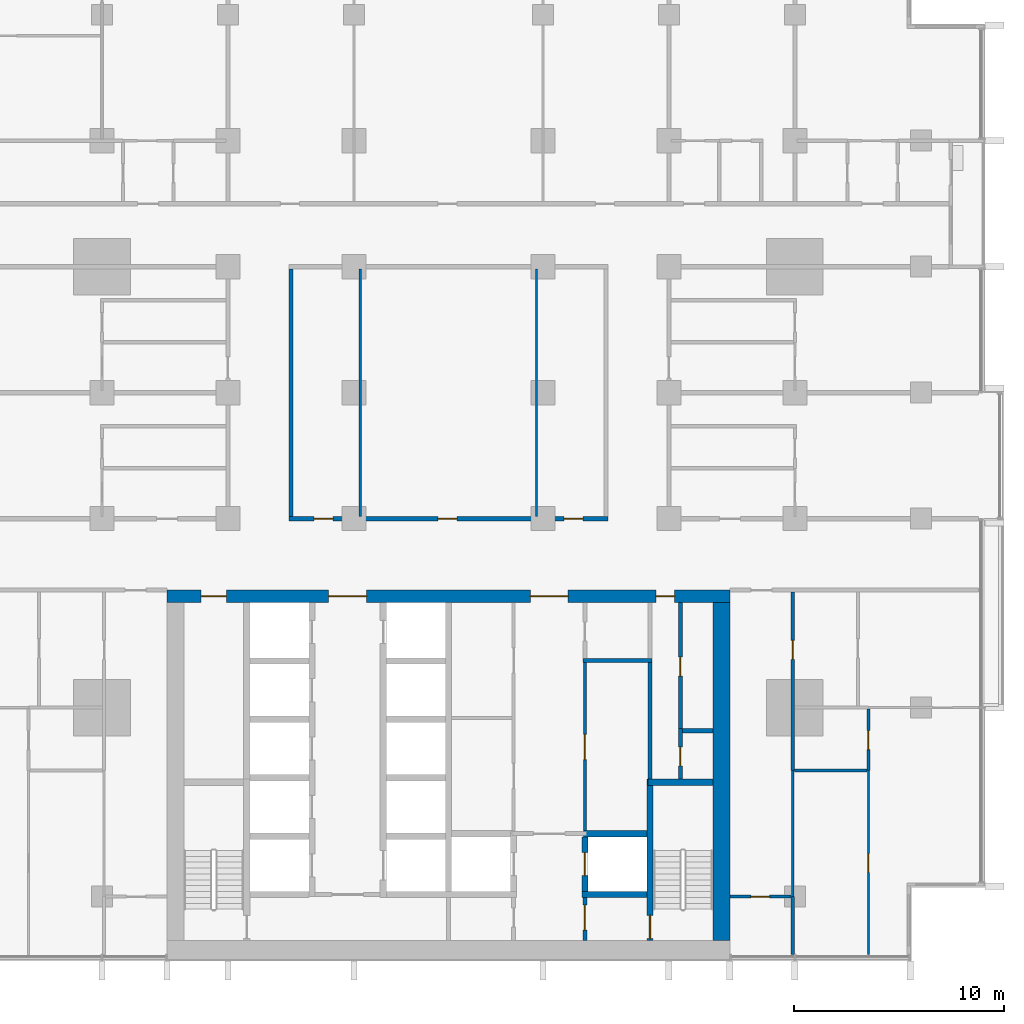
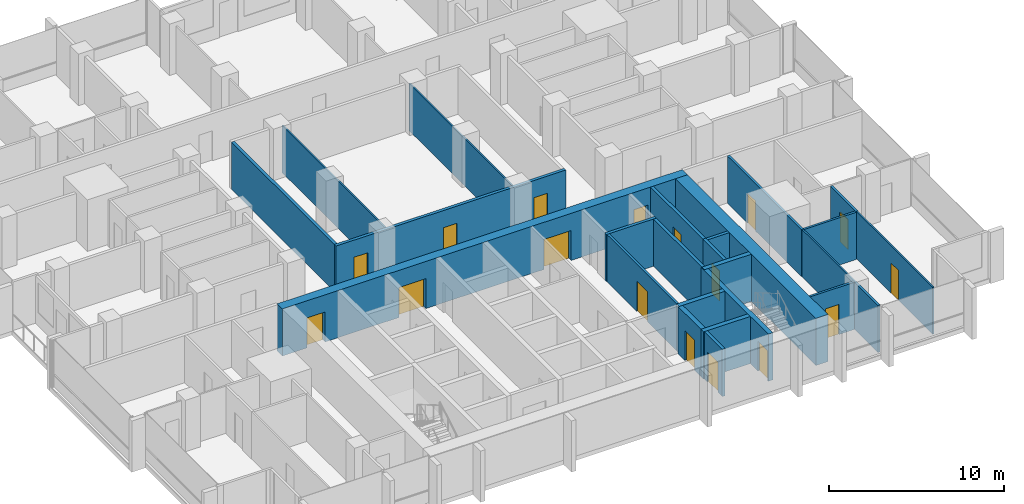
# One storey, part 9 of 17: 25 walls, 17 doors, 17 openings.
"""IFC4 building model written with IfcOpenShell, lengths in metres."""

from ifc_helpers import new_model, si_unit, direction, frame, frame_2d, origin, place, context, subcontext, project, spatial, rectangle, extrude, material, layer, layer_set, type_object, element, fill, save


model = new_model("IFC4")

# Units and contexts
model_context = context("Model", 3, precision=1e-05, world=origin(), true_north=direction((0.0, 1.0)))
body_context = subcontext(model_context, "Body", "Model", "MODEL_VIEW")
ifc_project = project(units=[si_unit("LENGTHUNIT", "METRE"), si_unit("AREAUNIT", "SQUARE_METRE"), si_unit("VOLUMEUNIT", "CUBIC_METRE"), si_unit("PLANEANGLEUNIT", "RADIAN"), si_unit("MASSUNIT", "GRAM", prefix="KILO")], contexts=[model_context])

# Site, building, storey
site_placement = place(None, origin())
site = spatial("IfcSite", under=ifc_project, at=site_placement, CompositionType="ELEMENT")
building_placement = place(site_placement, origin())
building = spatial("IfcBuilding", under=site, at=building_placement, Name="Finial Court Residences", CompositionType="ELEMENT")
storey_placement = place(building_placement, frame((0.0, 0.0, 113.5)))
storey = spatial("IfcBuildingStorey", under=building, at=storey_placement, Name="L28", CompositionType="ELEMENT", Elevation=113.5)

# Wall, openings, doors
ifc_material_1 = material(Name="Concrete C70/85", Category="concrete")
ifc_layer_1 = layer(ifc_material_1, 0.60009765625)
ifc_layer_set_1 = layer_set([ifc_layer_1], Name="Core outer wall 600 Concrete C70/85")
wall_type_1 = type_object("IfcWallType", Name="Core outer wall 600 Concrete C70/85", PredefinedType="SHEAR", material=ifc_layer_set_1)
wall_1_placement = place(storey_placement, frame((-13.39990234375, -8.199951171875, 0.0), z_axis=(0.0, 0.0, 1.0), x_axis=(1.0, 0.0, 0.0)))
wall_1 = element("IfcWall", 1, at=wall_1_placement, inside=storey, type_object=wall_type_1, Name="Core outer wall L28-02", PredefinedType="SHEAR", context=body_context, shape_type="SweptSolid", body=[
    extrude(rectangle(XDim=26.7998046875, YDim=0.60009765625, at=frame_2d((13.39990234375, 0.0))), origin(), (0.0, 0.0, 1.0), 3.300048828125),
])
opening_1_placement = place(wall_1_placement, frame((7.699951171875, 0.0, 0.0)))
opening_1 = element("IfcOpeningElement", 2, at=opening_1_placement, cuts=wall_1, Name="Opening L28-C04", PredefinedType="OPENING", context=body_context, shape_type="SweptSolid", body=[
    extrude(rectangle(XDim=1.800048828125, YDim=2.10009765625, at=frame_2d((0.89990234375, 1.050048828125))), frame((0.0, 0.31005859375, 0.0), z_axis=(0.0, -1.0, 0.0), x_axis=(1.0, 0.0, 0.0)), (0.0, 0.0, 1.0), 0.6201171875),
])
opening_2_placement = place(wall_1_placement, frame((17.300048828125, 0.0, 0.0)))
opening_2 = element("IfcOpeningElement", 3, at=opening_2_placement, cuts=wall_1, Name="Opening L28-C05", PredefinedType="OPENING", context=body_context, shape_type="SweptSolid", body=[
    extrude(rectangle(XDim=1.800048828125, YDim=2.10009765625, at=frame_2d((0.89990234375, 1.050048828125))), frame((0.0, 0.31005859375, 0.0), z_axis=(0.0, -1.0, 0.0), x_axis=(1.0, 0.0, 0.0)), (0.0, 0.0, 1.0), 0.6201171875),
])
opening_3_placement = place(wall_1_placement, frame((1.625, 0.0, 0.0)))
opening_3 = element("IfcOpeningElement", 4, at=opening_3_placement, cuts=wall_1, Name="Opening L28-C09", PredefinedType="OPENING", context=body_context, shape_type="SweptSolid", body=[
    extrude(rectangle(XDim=1.199951171875, YDim=2.10009765625, at=frame_2d((0.60009765625, 1.050048828125))), frame((0.0, 0.31005859375, 0.0), z_axis=(0.0, -1.0, 0.0), x_axis=(1.0, 0.0, 0.0)), (0.0, 0.0, 1.0), 0.6201171875),
])
opening_4_placement = place(wall_1_placement, frame((23.27490234375, 0.0, 0.0)))
opening_4 = element("IfcOpeningElement", 5, at=opening_4_placement, cuts=wall_1, Name="Opening L28-C10", PredefinedType="OPENING", context=body_context, shape_type="SweptSolid", body=[
    extrude(rectangle(XDim=0.89990234375, YDim=2.10009765625, at=frame_2d((0.449951171875, 1.050048828125))), frame((0.0, 0.31005859375, 0.0), z_axis=(0.0, -1.0, 0.0), x_axis=(1.0, 0.0, 0.0)), (0.0, 0.0, 1.0), 0.6201171875),
])
ifc_material_2 = material(Name="Steel fire door", Category="steel")
door_type_1 = type_object("IfcDoorType", Name="Lift lobby door 1800 x 2100 EI 60", OperationType="DOUBLE_DOOR_SINGLE_SWING", PredefinedType="DOOR", material=ifc_material_2)
door_1_placement = place(opening_1_placement, origin())
door_1 = element("IfcDoor", 6, at=door_1_placement, inside=storey, type_object=door_type_1, Name="Lift lobby door L28-C04", OperationType="DOUBLE_DOOR_SINGLE_SWING", OverallHeight=2.10009765625, OverallWidth=1.800048828125, PredefinedType="DOOR", context=body_context, shape_type="SweptSolid", body=[
    extrude(rectangle(XDim=1.800048828125, YDim=2.10009765625, at=frame_2d((0.89990234375, 1.050048828125))), frame((0.0, 0.02490234375, 0.0), z_axis=(0.0, -1.0, 0.0), x_axis=(1.0, 0.0, 0.0)), (0.0, 0.0, 1.0), 0.050048828125),
])
fill(opening_1, door_1)
door_2_placement = place(opening_2_placement, origin())
door_2 = element("IfcDoor", 7, at=door_2_placement, inside=storey, type_object=door_type_1, Name="Lift lobby door L28-C05", OperationType="DOUBLE_DOOR_SINGLE_SWING", OverallHeight=2.10009765625, OverallWidth=1.800048828125, PredefinedType="DOOR", context=body_context, shape_type="SweptSolid", body=[
    extrude(rectangle(XDim=1.800048828125, YDim=2.10009765625, at=frame_2d((0.89990234375, 1.050048828125))), frame((0.0, 0.02490234375, 0.0), z_axis=(0.0, -1.0, 0.0), x_axis=(1.0, 0.0, 0.0)), (0.0, 0.0, 1.0), 0.050048828125),
])
fill(opening_2, door_2)
door_type_2 = type_object("IfcDoorType", Name="Riser room door 1200 x 2100 EI 90", OperationType="NOTDEFINED", PredefinedType="DOOR", material=ifc_material_2)
door_3_placement = place(opening_3_placement, origin())
door_3 = element("IfcDoor", 8, at=door_3_placement, inside=storey, type_object=door_type_2, Name="Riser room door L28-C09", OperationType="SINGLE_SWING_LEFT", OverallHeight=2.10009765625, OverallWidth=1.199951171875, PredefinedType="DOOR", context=body_context, shape_type="SweptSolid", body=[
    extrude(rectangle(XDim=1.199951171875, YDim=2.10009765625, at=frame_2d((0.60009765625, 1.050048828125))), frame((0.0, 0.02490234375, 0.0), z_axis=(0.0, -1.0, 0.0), x_axis=(1.0, 0.0, 0.0)), (0.0, 0.0, 1.0), 0.050048828125),
])
fill(opening_3, door_3)
door_type_3 = type_object("IfcDoorType", Name="Riser room door 900 x 2100 EI 90", OperationType="NOTDEFINED", PredefinedType="DOOR", material=ifc_material_2)
door_4_placement = place(opening_4_placement, origin())
door_4 = element("IfcDoor", 9, at=door_4_placement, inside=storey, type_object=door_type_3, Name="Riser room door L28-C10", OperationType="SINGLE_SWING_LEFT", OverallHeight=2.10009765625, OverallWidth=0.89990234375, PredefinedType="DOOR", context=body_context, shape_type="SweptSolid", body=[
    extrude(rectangle(XDim=0.89990234375, YDim=2.10009765625, at=frame_2d((0.449951171875, 1.050048828125))), frame((0.0, 0.02490234375, 0.0), z_axis=(0.0, -1.0, 0.0), x_axis=(1.0, 0.0, 0.0)), (0.0, 0.0, 1.0), 0.050048828125),
])
fill(opening_4, door_4)

# Wall
ifc_layer_2 = layer(ifc_material_1, 0.800048828125)
ifc_layer_set_2 = layer_set([ifc_layer_2], Name="Core outer wall 800 Concrete C70/85")
wall_type_2 = type_object("IfcWallType", Name="Core outer wall 800 Concrete C70/85", PredefinedType="SHEAR", material=ifc_layer_set_2)
wall_2_placement = place(storey_placement, frame((13.0, -24.60009765625, 0.0), z_axis=(0.0, 0.0, 1.0), x_axis=(0.0, 1.0, 0.0)))
element("IfcWall", 10, at=wall_2_placement, inside=storey, type_object=wall_type_2, Name="Core outer wall L28-04", PredefinedType="SHEAR", context=body_context, shape_type="SweptSolid", body=[
    extrude(rectangle(XDim=16.10009765625, YDim=0.800048828125, at=frame_2d((8.050048828125, 0.0))), origin(), (0.0, 0.0, 1.0), 3.300048828125),
])

# Wall, opening, door
ifc_material_3 = material(Name="Fire-rated gypsum board partition")
ifc_layer_3 = layer(ifc_material_3, 0.14990234375)
ifc_layer_set_3 = layer_set([ifc_layer_3], Name="Core room partition 150 EI 60")
wall_type_3 = type_object("IfcWallType", Name="Core room partition 150 EI 60", PredefinedType="PARTITIONING", material=ifc_layer_set_3)
wall_3_placement = place(storey_placement, frame((6.5, -11.35009765625, 0.0), z_axis=(0.0, 0.0, 1.0), x_axis=(0.0, -1.0, 0.0)))
wall_3 = element("IfcWall", 11, at=wall_3_placement, inside=storey, type_object=wall_type_3, Name="Core partition L28-32", PredefinedType="PARTITIONING", context=body_context, shape_type="SweptSolid", body=[
    extrude(rectangle(XDim=8.0, YDim=0.14990234375, at=frame_2d((4.0, 0.0))), origin(), (0.0, 0.0, 1.0), 3.300048828125),
])
opening_5_placement = place(wall_3_placement, frame((3.425048828125, 0.0, 0.0)))
opening_5 = element("IfcOpeningElement", 12, at=opening_5_placement, cuts=wall_3, Name="Opening L28-C14", PredefinedType="OPENING", context=body_context, shape_type="SweptSolid", body=[
    extrude(rectangle(XDim=1.199951171875, YDim=2.10009765625, at=frame_2d((0.60009765625, 1.050048828125))), frame((0.0, 0.0849609375, 0.0), z_axis=(0.0, -1.0, 0.0), x_axis=(1.0, 0.0, 0.0)), (0.0, 0.0, 1.0), 0.169921875),
])
door_type_4 = type_object("IfcDoorType", Name="Core room door 1200 x 2100 EI 60", OperationType="NOTDEFINED", PredefinedType="DOOR", material=ifc_material_2)
door_5_placement = place(opening_5_placement, origin())
door_5 = element("IfcDoor", 13, at=door_5_placement, inside=storey, type_object=door_type_4, Name="Core room door L28-C14", OperationType="SINGLE_SWING_RIGHT", OverallHeight=2.10009765625, OverallWidth=1.199951171875, PredefinedType="DOOR", context=body_context, shape_type="SweptSolid", body=[
    extrude(rectangle(XDim=1.199951171875, YDim=2.10009765625, at=frame_2d((0.60009765625, 1.050048828125))), frame((0.0, 0.02490234375, 0.0), z_axis=(0.0, -1.0, 0.0), x_axis=(1.0, 0.0, 0.0)), (0.0, 0.0, 1.0), 0.050048828125),
])
fill(opening_5, door_5)

# Wall, openings, doors
ifc_material_4 = material(Name="Gypsum board")
ifc_layer_4 = layer(ifc_material_4, 0.02490234375)
ifc_material_5 = material(Name="Acoustic mineral wool in double frame")
ifc_layer_5 = layer(ifc_material_5, 0.14990234375)
ifc_layer_6 = layer(ifc_material_4, 0.02490234375)
ifc_layer_set_4 = layer_set([ifc_layer_4, ifc_layer_5, ifc_layer_6], Name="Corridor wall 200, 1 hour")
wall_type_4 = type_object("IfcWallType", Name="Corridor wall 200, 1 hour", PredefinedType="PARTITIONING", material=ifc_layer_set_4)
wall_4_placement = place(storey_placement, frame((-7.60009765625, -4.5, 0.0), z_axis=(0.0, 0.0, 1.0), x_axis=(1.0, 0.0, 0.0)))
wall_4 = element("IfcWall", 14, at=wall_4_placement, inside=storey, type_object=wall_type_4, Name="Partition L28-011", PredefinedType="PARTITIONING", context=body_context, shape_type="SweptSolid", body=[
    extrude(rectangle(XDim=15.2001953125, YDim=0.199951171875, at=frame_2d((7.60009765625, 0.0))), origin(), (0.0, 0.0, 1.0), 3.300048828125),
])
opening_6_placement = place(wall_4_placement, frame((1.199951171875, 0.0, 0.0)))
opening_6 = element("IfcOpeningElement", 15, at=opening_6_placement, cuts=wall_4, Name="Opening L28-D008", PredefinedType="OPENING", context=body_context, shape_type="SweptSolid", body=[
    extrude(rectangle(XDim=0.89990234375, YDim=2.10009765625, at=frame_2d((0.449951171875, 1.050048828125))), frame((0.0, 0.10986328125, 0.0), z_axis=(0.0, -1.0, 0.0), x_axis=(1.0, 0.0, 0.0)), (0.0, 0.0, 1.0), 0.219970703125),
])
opening_7_placement = place(wall_4_placement, frame((7.10009765625, 0.0, 0.0)))
opening_7 = element("IfcOpeningElement", 16, at=opening_7_placement, cuts=wall_4, Name="Opening L28-D009", PredefinedType="OPENING", context=body_context, shape_type="SweptSolid", body=[
    extrude(rectangle(XDim=0.89990234375, YDim=2.10009765625, at=frame_2d((0.449951171875, 1.050048828125))), frame((0.0, 0.10986328125, 0.0), z_axis=(0.0, -1.0, 0.0), x_axis=(1.0, 0.0, 0.0)), (0.0, 0.0, 1.0), 0.219970703125),
])
opening_8_placement = place(wall_4_placement, frame((13.10009765625, 0.0, 0.0)))
opening_8 = element("IfcOpeningElement", 17, at=opening_8_placement, cuts=wall_4, Name="Opening L28-D010", PredefinedType="OPENING", context=body_context, shape_type="SweptSolid", body=[
    extrude(rectangle(XDim=0.89990234375, YDim=2.10009765625, at=frame_2d((0.449951171875, 1.050048828125))), frame((0.0, 0.10986328125, 0.0), z_axis=(0.0, -1.0, 0.0), x_axis=(1.0, 0.0, 0.0)), (0.0, 0.0, 1.0), 0.219970703125),
])
ifc_material_6 = material(Name="Timber door leaf in hollow metal frame", Category="wood")
door_type_5 = type_object("IfcDoorType", Name="Fire door set 900 x 2100, 30 minutes", OperationType="SINGLE_SWING_LEFT", PredefinedType="DOOR", material=ifc_material_6)
door_6_placement = place(opening_6_placement, origin())
door_6 = element("IfcDoor", 18, at=door_6_placement, inside=storey, type_object=door_type_5, Name="Door L28-D008", OperationType="SINGLE_SWING_RIGHT", OverallHeight=2.10009765625, OverallWidth=0.89990234375, PredefinedType="DOOR", context=body_context, shape_type="SweptSolid", body=[
    extrude(rectangle(XDim=0.89990234375, YDim=2.10009765625, at=frame_2d((0.449951171875, 1.050048828125))), frame((0.0, 0.02490234375, 0.0), z_axis=(0.0, -1.0, 0.0), x_axis=(1.0, 0.0, 0.0)), (0.0, 0.0, 1.0), 0.050048828125),
])
fill(opening_6, door_6)
door_7_placement = place(opening_7_placement, origin())
door_7 = element("IfcDoor", 19, at=door_7_placement, inside=storey, type_object=door_type_5, Name="Door L28-D009", OperationType="SINGLE_SWING_RIGHT", OverallHeight=2.10009765625, OverallWidth=0.89990234375, PredefinedType="DOOR", context=body_context, shape_type="SweptSolid", body=[
    extrude(rectangle(XDim=0.89990234375, YDim=2.10009765625, at=frame_2d((0.449951171875, 1.050048828125))), frame((0.0, 0.02490234375, 0.0), z_axis=(0.0, -1.0, 0.0), x_axis=(1.0, 0.0, 0.0)), (0.0, 0.0, 1.0), 0.050048828125),
])
fill(opening_7, door_7)
door_8_placement = place(opening_8_placement, origin())
door_8 = element("IfcDoor", 20, at=door_8_placement, inside=storey, type_object=door_type_5, Name="Door L28-D010", OperationType="SINGLE_SWING_LEFT", OverallHeight=2.10009765625, OverallWidth=0.89990234375, PredefinedType="DOOR", context=body_context, shape_type="SweptSolid", body=[
    extrude(rectangle(XDim=0.89990234375, YDim=2.10009765625, at=frame_2d((0.449951171875, 1.050048828125))), frame((0.0, 0.02490234375, 0.0), z_axis=(0.0, -1.0, 0.0), x_axis=(1.0, 0.0, 0.0)), (0.0, 0.0, 1.0), 0.050048828125),
])
fill(opening_8, door_8)

# Wall
wall_5_placement = place(storey_placement, frame((-7.5, -4.39990234375, 0.0), z_axis=(0.0, 0.0, 1.0), x_axis=(0.0, 1.0, 0.0)))
element("IfcWall", 21, at=wall_5_placement, inside=storey, type_object=wall_type_4, Name="Partition L28-053", PredefinedType="PARTITIONING", context=body_context, shape_type="SweptSolid", body=[
    extrude(rectangle(XDim=11.7998046875, YDim=0.199951171875, at=frame_2d((5.89990234375, 0.0))), origin(), (0.0, 0.0, 1.0), 3.300048828125),
])

# Wall, opening, door
ifc_layer_7 = layer(ifc_material_3, 0.199951171875)
ifc_layer_set_5 = layer_set([ifc_layer_7], Name="Firefighting lobby wall 200 EI 120")
wall_type_5 = type_object("IfcWallType", Name="Firefighting lobby wall 200 EI 120", PredefinedType="PARTITIONING", material=ifc_layer_set_5)
wall_6_placement = place(storey_placement, frame((6.5, -22.550048828125, 0.0), z_axis=(0.0, 0.0, 1.0), x_axis=(0.0, -1.0, 0.0)))
wall_6 = element("IfcWall", 22, at=wall_6_placement, inside=storey, type_object=wall_type_5, Name="Core partition L28-30", PredefinedType="PARTITIONING", context=body_context, shape_type="SweptSolid", body=[
    extrude(rectangle(XDim=2.050048828125, YDim=0.199951171875, at=frame_2d((1.02490234375, 0.0))), origin(), (0.0, 0.0, 1.0), 3.300048828125),
])
opening_9_placement = place(wall_6_placement, frame((0.35009765625, 0.0, 0.0)))
opening_9 = element("IfcOpeningElement", 23, at=opening_9_placement, cuts=wall_6, Name="Opening L28-C01", PredefinedType="OPENING", context=body_context, shape_type="SweptSolid", body=[
    extrude(rectangle(XDim=1.199951171875, YDim=2.10009765625, at=frame_2d((0.60009765625, 1.050048828125))), frame((0.0, 0.10986328125, 0.0), z_axis=(0.0, -1.0, 0.0), x_axis=(1.0, 0.0, 0.0)), (0.0, 0.0, 1.0), 0.219970703125),
])
door_type_6 = type_object("IfcDoorType", Name="Firefighting lobby door 1200 x 2100 EI 90", OperationType="NOTDEFINED", PredefinedType="DOOR", material=ifc_material_2)
door_9_placement = place(opening_9_placement, origin())
door_9 = element("IfcDoor", 24, at=door_9_placement, inside=storey, type_object=door_type_6, Name="Firefighting lobby door L28-C01", OperationType="SINGLE_SWING_RIGHT", OverallHeight=2.10009765625, OverallWidth=1.199951171875, PredefinedType="DOOR", context=body_context, shape_type="SweptSolid", body=[
    extrude(rectangle(XDim=1.199951171875, YDim=2.10009765625, at=frame_2d((0.60009765625, 1.050048828125))), frame((0.0, 0.02490234375, 0.0), z_axis=(0.0, -1.0, 0.0), x_axis=(1.0, 0.0, 0.0)), (0.0, 0.0, 1.0), 0.050048828125),
])
fill(opening_9, door_9)

# Walls
ifc_layer_8 = layer(ifc_material_4, 0.012451171875)
ifc_material_7 = material(Name="Mineral wool in light-gauge frame")
ifc_layer_9 = layer(ifc_material_7, 0.074951171875)
ifc_layer_10 = layer(ifc_material_4, 0.012451171875)
ifc_layer_set_6 = layer_set([ifc_layer_8, ifc_layer_9, ifc_layer_10], Name="Gypsum board partition 100")
wall_type_6 = type_object("IfcWallType", Name="Gypsum board partition 100", PredefinedType="PARTITIONING", material=ifc_layer_set_6)
for number, where, z_axis, x_axis, name in (
    (25, (-4.199951171875, -4.39990234375, 0.0), (0.0, 0.0, 1.0), (0.0, 1.0, 0.0), "Partition L28-055"),
    (26, (4.199951171875, -4.39990234375, 0.0), (0.0, 0.0, 1.0), (0.0, 1.0, 0.0), "Partition L28-056"),
):
    element("IfcWall", number, at=place(storey_placement, frame(where, z_axis=z_axis, x_axis=x_axis)), inside=storey, type_object=wall_type_6, Name=name, PredefinedType="PARTITIONING", context=body_context, shape_type="SweptSolid", body=[
        extrude(rectangle(XDim=11.7998046875, YDim=0.10009765625, at=frame_2d((5.89990234375, 0.0))), origin(), (0.0, 0.0, 1.0), 3.300048828125),
    ])
wall_7_placement = place(storey_placement, frame((16.39990234375, -22.5, 0.0), z_axis=(0.0, 0.0, 1.0), x_axis=(0.0, 1.0, 0.0)))
element("IfcWall", 27, at=wall_7_placement, inside=storey, type_object=wall_type_6, Name="Partition L28-063", PredefinedType="PARTITIONING", context=body_context, shape_type="SweptSolid", body=[
    extrude(rectangle(XDim=6.0, YDim=0.10009765625, at=frame_2d((3.0, 0.0))), origin(), (0.0, 0.0, 1.0), 3.300048828125),
])

# Wall, opening, door
wall_8_placement = place(storey_placement, frame((20.0, -25.25, 0.0), z_axis=(0.0, 0.0, 1.0), x_axis=(0.0, 1.0, 0.0)))
wall_8 = element("IfcWall", 28, at=wall_8_placement, inside=storey, type_object=wall_type_6, Name="Partition L28-073", PredefinedType="PARTITIONING", context=body_context, shape_type="SweptSolid", body=[
    extrude(rectangle(XDim=8.75, YDim=0.10009765625, at=frame_2d((4.375, 0.0))), origin(), (0.0, 0.0, 1.0), 3.300048828125),
])
opening_10_placement = place(wall_8_placement, frame((3.89990234375, 0.0, 0.0)))
opening_10 = element("IfcOpeningElement", 29, at=opening_10_placement, cuts=wall_8, Name="Opening L28-D044", PredefinedType="OPENING", context=body_context, shape_type="SweptSolid", body=[
    extrude(rectangle(XDim=0.89990234375, YDim=2.10009765625, at=frame_2d((0.449951171875, 1.050048828125))), frame((0.0, 0.06005859375, 0.0), z_axis=(0.0, -1.0, 0.0), x_axis=(1.0, 0.0, 0.0)), (0.0, 0.0, 1.0), 0.1201171875),
])
ifc_material_8 = material(Name="Timber door leaf in timber frame", Category="wood")
door_type_7 = type_object("IfcDoorType", Name="Door set 900 x 2100", OperationType="SINGLE_SWING_LEFT", PredefinedType="DOOR", material=ifc_material_8)
door_10_placement = place(opening_10_placement, origin())
door_10 = element("IfcDoor", 30, at=door_10_placement, inside=storey, type_object=door_type_7, Name="Door L28-D044", OperationType="SINGLE_SWING_RIGHT", OverallHeight=2.10009765625, OverallWidth=0.89990234375, PredefinedType="DOOR", context=body_context, shape_type="SweptSolid", body=[
    extrude(rectangle(XDim=0.89990234375, YDim=2.10009765625, at=frame_2d((0.449951171875, 1.050048828125))), frame((0.0, 0.02490234375, 0.0), z_axis=(0.0, -1.0, 0.0), x_axis=(1.0, 0.0, 0.0)), (0.0, 0.0, 1.0), 0.050048828125),
])
fill(opening_10, door_10)

ifc_material_9 = material(Name="Moisture-resistant gypsum board")
ifc_layer_11 = layer(ifc_material_9, 0.012451171875)
ifc_layer_12 = layer(ifc_material_7, 0.125)
ifc_layer_13 = layer(ifc_material_9, 0.012451171875)
ifc_layer_set_7 = layer_set([ifc_layer_11, ifc_layer_12, ifc_layer_13], Name="Gypsum board wet-area partition 150")
wall_type_7 = type_object("IfcWallType", Name="Gypsum board wet-area partition 150", PredefinedType="PARTITIONING", material=ifc_layer_set_7)
wall_9_placement = place(storey_placement, frame((13.39990234375, -22.5, 0.0), z_axis=(0.0, 0.0, 1.0), x_axis=(1.0, 0.0, 0.0)))
wall_9 = element("IfcWall", 31, at=wall_9_placement, inside=storey, type_object=wall_type_7, Name="Partition L28-001", PredefinedType="PARTITIONING", context=body_context, shape_type="SweptSolid", body=[
    extrude(rectangle(XDim=2.925048828125, YDim=0.14990234375, at=frame_2d((1.46240234375, 0.0))), origin(), (0.0, 0.0, 1.0), 3.300048828125),
])
opening_11_placement = place(wall_9_placement, frame((1.0, 0.0, 0.0)))
opening_11 = element("IfcOpeningElement", 32, at=opening_11_placement, cuts=wall_9, Name="Opening L28-D002", PredefinedType="OPENING", context=body_context, shape_type="SweptSolid", body=[
    extrude(rectangle(XDim=0.89990234375, YDim=2.10009765625, at=frame_2d((0.449951171875, 1.050048828125))), frame((0.0, 0.0849609375, 0.0), z_axis=(0.0, -1.0, 0.0), x_axis=(1.0, 0.0, 0.0)), (0.0, 0.0, 1.0), 0.169921875),
])
door_11_placement = place(opening_11_placement, origin())
door_11 = element("IfcDoor", 33, at=door_11_placement, inside=storey, type_object=door_type_7, Name="Door L28-D002", OperationType="SINGLE_SWING_RIGHT", OverallHeight=2.10009765625, OverallWidth=0.89990234375, PredefinedType="DOOR", context=body_context, shape_type="SweptSolid", body=[
    extrude(rectangle(XDim=0.89990234375, YDim=2.10009765625, at=frame_2d((0.449951171875, 1.050048828125))), frame((0.0, 0.02490234375, 0.0), z_axis=(0.0, -1.0, 0.0), x_axis=(1.0, 0.0, 0.0)), (0.0, 0.0, 1.0), 0.050048828125),
])
fill(opening_11, door_11)

# Walls
wall_10_placement = place(storey_placement, frame((16.47509765625, -16.5, 0.0), z_axis=(0.0, 0.0, 1.0), x_axis=(1.0, 0.0, 0.0)))
element("IfcWall", 34, at=wall_10_placement, inside=storey, type_object=wall_type_7, Name="Partition L28-003", PredefinedType="PARTITIONING", context=body_context, shape_type="SweptSolid", body=[
    extrude(rectangle(XDim=3.449951171875, YDim=0.14990234375, at=frame_2d((1.72509765625, 0.0))), origin(), (0.0, 0.0, 1.0), 3.300048828125),
])
wall_11_placement = place(storey_placement, frame((16.39990234375, -25.25, 0.0), z_axis=(0.0, 0.0, 1.0), x_axis=(0.0, 1.0, 0.0)))
element("IfcWall", 35, at=wall_11_placement, inside=storey, type_object=wall_type_7, Name="Partition L28-064", PredefinedType="PARTITIONING", context=body_context, shape_type="SweptSolid", body=[
    extrude(rectangle(XDim=2.75, YDim=0.14990234375, at=frame_2d((1.375, 0.0))), origin(), (0.0, 0.0, 1.0), 3.300048828125),
])

# Wall, opening, door
wall_12_placement = place(storey_placement, frame((16.39990234375, -16.5, 0.0), z_axis=(0.0, 0.0, 1.0), x_axis=(0.0, 1.0, 0.0)))
wall_12 = element("IfcWall", 36, at=wall_12_placement, inside=storey, type_object=wall_type_7, Name="Partition L28-065", PredefinedType="PARTITIONING", context=body_context, shape_type="SweptSolid", body=[
    extrude(rectangle(XDim=8.5, YDim=0.14990234375, at=frame_2d((4.25, 0.0))), origin(), (0.0, 0.0, 1.0), 3.300048828125),
])
opening_12_placement = place(wall_12_placement, frame((5.300048828125, 0.0, 0.0)))
opening_12 = element("IfcOpeningElement", 37, at=opening_12_placement, cuts=wall_12, Name="Opening L28-D037", PredefinedType="OPENING", context=body_context, shape_type="SweptSolid", body=[
    extrude(rectangle(XDim=0.89990234375, YDim=2.10009765625, at=frame_2d((0.449951171875, 1.050048828125))), frame((0.0, 0.0849609375, 0.0), z_axis=(0.0, -1.0, 0.0), x_axis=(1.0, 0.0, 0.0)), (0.0, 0.0, 1.0), 0.169921875),
])
door_12_placement = place(opening_12_placement, origin())
door_12 = element("IfcDoor", 38, at=door_12_placement, inside=storey, type_object=door_type_7, Name="Door L28-D037", OperationType="SINGLE_SWING_RIGHT", OverallHeight=2.10009765625, OverallWidth=0.89990234375, PredefinedType="DOOR", context=body_context, shape_type="SweptSolid", body=[
    extrude(rectangle(XDim=0.89990234375, YDim=2.10009765625, at=frame_2d((0.449951171875, 1.050048828125))), frame((0.0, 0.02490234375, 0.0), z_axis=(0.0, -1.0, 0.0), x_axis=(1.0, 0.0, 0.0)), (0.0, 0.0, 1.0), 0.050048828125),
])
fill(opening_12, door_12)

wall_13_placement = place(storey_placement, frame((20.0, -16.5, 0.0), z_axis=(0.0, 0.0, 1.0), x_axis=(0.0, 1.0, 0.0)))
wall_13 = element("IfcWall", 39, at=wall_13_placement, inside=storey, type_object=wall_type_7, Name="Partition L28-074", PredefinedType="PARTITIONING", context=body_context, shape_type="SweptSolid", body=[
    extrude(rectangle(XDim=2.925048828125, YDim=0.14990234375, at=frame_2d((1.46240234375, 0.0))), origin(), (0.0, 0.0, 1.0), 3.300048828125),
])
opening_13_placement = place(wall_13_placement, frame((1.0, 0.0, 0.0)))
opening_13 = element("IfcOpeningElement", 40, at=opening_13_placement, cuts=wall_13, Name="Opening L28-D045", PredefinedType="OPENING", context=body_context, shape_type="SweptSolid", body=[
    extrude(rectangle(XDim=0.89990234375, YDim=2.10009765625, at=frame_2d((0.449951171875, 1.050048828125))), frame((0.0, 0.0849609375, 0.0), z_axis=(0.0, -1.0, 0.0), x_axis=(1.0, 0.0, 0.0)), (0.0, 0.0, 1.0), 0.169921875),
])
door_13_placement = place(opening_13_placement, origin())
door_13 = element("IfcDoor", 41, at=door_13_placement, inside=storey, type_object=door_type_7, Name="Door L28-D045", OperationType="SINGLE_SWING_RIGHT", OverallHeight=2.10009765625, OverallWidth=0.89990234375, PredefinedType="DOOR", context=body_context, shape_type="SweptSolid", body=[
    extrude(rectangle(XDim=0.89990234375, YDim=2.10009765625, at=frame_2d((0.449951171875, 1.050048828125))), frame((0.0, 0.02490234375, 0.0), z_axis=(0.0, -1.0, 0.0), x_axis=(1.0, 0.0, 0.0)), (0.0, 0.0, 1.0), 0.050048828125),
])
fill(opening_13, door_13)

# Walls
ifc_layer_14 = layer(ifc_material_1, 0.300048828125)
ifc_layer_set_8 = layer_set([ifc_layer_14], Name="Lift shaft and stair wall 300 Concrete C70/85")
wall_type_8 = type_object("IfcWallType", Name="Lift shaft and stair wall 300 Concrete C70/85", PredefinedType="SHEAR", material=ifc_layer_set_8)
wall_14_placement = place(storey_placement, frame((6.35009765625, -22.39990234375, 0.0), z_axis=(0.0, 0.0, 1.0), x_axis=(1.0, 0.0, 0.0)))
element("IfcWall", 42, at=wall_14_placement, inside=storey, type_object=wall_type_8, Name="Core wall L28-04", PredefinedType="SHEAR", context=body_context, shape_type="SweptSolid", body=[
    extrude(rectangle(XDim=3.099853515625, YDim=0.300048828125, at=frame_2d((1.5498046875, 0.0))), origin(), (0.0, 0.0, 1.0), 3.300048828125),
])
wall_15_placement = place(storey_placement, frame((6.425048828125, -19.5, 0.0), z_axis=(0.0, 0.0, 1.0), x_axis=(1.0, 0.0, 0.0)))
element("IfcWall", 43, at=wall_15_placement, inside=storey, type_object=wall_type_8, Name="Core wall L28-09", PredefinedType="SHEAR", context=body_context, shape_type="SweptSolid", body=[
    extrude(rectangle(XDim=3.02490234375, YDim=0.300048828125, at=frame_2d((1.512451171875, 0.0))), origin(), (0.0, 0.0, 1.0), 3.300048828125),
])
wall_16_placement = place(storey_placement, frame((9.5, -17.050048828125, 0.0), z_axis=(0.0, 0.0, 1.0), x_axis=(1.0, 0.0, 0.0)))
element("IfcWall", 44, at=wall_16_placement, inside=storey, type_object=wall_type_8, Name="Core wall L28-11", PredefinedType="SHEAR", context=body_context, shape_type="SweptSolid", body=[
    extrude(rectangle(XDim=3.10009765625, YDim=0.300048828125, at=frame_2d((1.550048828125, 0.0))), origin(), (0.0, 0.0, 1.0), 3.300048828125),
])

# Wall, opening, door
wall_17_placement = place(storey_placement, frame((6.5, -22.25, 0.0), z_axis=(0.0, 0.0, 1.0), x_axis=(0.0, 1.0, 0.0)))
wall_17 = element("IfcWall", 45, at=wall_17_placement, inside=storey, type_object=wall_type_8, Name="Core wall L28-31", PredefinedType="SHEAR", context=body_context, shape_type="SweptSolid", body=[
    extrude(rectangle(XDim=2.60009765625, YDim=0.300048828125, at=frame_2d((1.300048828125, 0.0))), origin(), (0.0, 0.0, 1.0), 3.300048828125),
])
opening_14_placement = place(wall_17_placement, frame((0.75, 0.0, 0.0)))
opening_14 = element("IfcOpeningElement", 46, at=opening_14_placement, cuts=wall_17, Name="Opening L28-LD02", PredefinedType="OPENING", context=body_context, shape_type="SweptSolid", body=[
    extrude(rectangle(XDim=1.10009765625, YDim=2.10009765625, at=frame_2d((0.550048828125, 1.050048828125))), frame((0.0, 0.159912109375, 0.0), z_axis=(0.0, -1.0, 0.0), x_axis=(1.0, 0.0, 0.0)), (0.0, 0.0, 1.0), 0.320068359375),
])
ifc_material_10 = material(Name="Stainless steel lift door", Category="steel")
door_type_8 = type_object("IfcDoorType", Name="Lift landing door 1100 x 2100 EI 90", OperationType="DOUBLE_DOOR_SLIDING", PredefinedType="DOOR", material=ifc_material_10)
door_14_placement = place(opening_14_placement, origin())
door_14 = element("IfcDoor", 47, at=door_14_placement, inside=storey, type_object=door_type_8, Name="Lift landing door FF2 L28", OperationType="DOUBLE_DOOR_SLIDING", OverallHeight=2.10009765625, OverallWidth=1.10009765625, PredefinedType="DOOR", context=body_context, shape_type="SweptSolid", body=[
    extrude(rectangle(XDim=1.10009765625, YDim=2.10009765625, at=frame_2d((0.550048828125, 1.050048828125))), frame((0.0, 0.02490234375, 0.0), z_axis=(0.0, -1.0, 0.0), x_axis=(1.0, 0.0, 0.0)), (0.0, 0.0, 1.0), 0.050048828125),
])
fill(opening_14, door_14)

wall_18_placement = place(storey_placement, frame((9.60009765625, -16.89990234375, 0.0), z_axis=(0.0, 0.0, 1.0), x_axis=(0.0, -1.0, 0.0)))
wall_18 = element("IfcWall", 48, at=wall_18_placement, inside=storey, type_object=wall_type_8, Name="Core wall L28-34", PredefinedType="SHEAR", context=body_context, shape_type="SweptSolid", body=[
    extrude(rectangle(XDim=7.7001953125, YDim=0.300048828125, at=frame_2d((3.85009765625, 0.0))), origin(), (0.0, 0.0, 1.0), 3.300048828125),
])
opening_15_placement = place(wall_18_placement, frame((6.5, 0.0, 0.0)))
opening_15 = element("IfcOpeningElement", 49, at=opening_15_placement, cuts=wall_18, Name="Opening L28-C16", PredefinedType="OPENING", context=body_context, shape_type="SweptSolid", body=[
    extrude(rectangle(XDim=1.10009765625, YDim=2.10009765625, at=frame_2d((0.550048828125, 1.050048828125))), frame((0.0, 0.159912109375, 0.0), z_axis=(0.0, -1.0, 0.0), x_axis=(1.0, 0.0, 0.0)), (0.0, 0.0, 1.0), 0.320068359375),
])
door_type_9 = type_object("IfcDoorType", Name="Stair door 1100 x 2100 EI 90", OperationType="NOTDEFINED", PredefinedType="DOOR", material=ifc_material_2)
door_15_placement = place(opening_15_placement, origin())
door_15 = element("IfcDoor", 50, at=door_15_placement, inside=storey, type_object=door_type_9, Name="Stair door L28-C16", OperationType="SINGLE_SWING_RIGHT", OverallHeight=2.10009765625, OverallWidth=1.10009765625, PredefinedType="DOOR", context=body_context, shape_type="SweptSolid", body=[
    extrude(rectangle(XDim=1.10009765625, YDim=2.10009765625, at=frame_2d((0.550048828125, 1.050048828125))), frame((0.0, 0.02490234375, 0.0), z_axis=(0.0, -1.0, 0.0), x_axis=(1.0, 0.0, 0.0)), (0.0, 0.0, 1.0), 0.050048828125),
])
fill(opening_15, door_15)

# Walls
ifc_layer_15 = layer(ifc_material_3, 0.199951171875)
ifc_layer_set_9 = layer_set([ifc_layer_15], Name="Riser room wall 200 EI 120")
wall_type_9 = type_object("IfcWallType", Name="Riser room wall 200 EI 120", PredefinedType="PARTITIONING", material=ifc_layer_set_9)
wall_19_placement = place(storey_placement, frame((11.14990234375, -14.60009765625, 0.0), z_axis=(0.0, 0.0, 1.0), x_axis=(1.0, 0.0, 0.0)))
element("IfcWall", 51, at=wall_19_placement, inside=storey, type_object=wall_type_9, Name="Core partition L28-14", PredefinedType="PARTITIONING", context=body_context, shape_type="SweptSolid", body=[
    extrude(rectangle(XDim=1.4501953125, YDim=0.199951171875, at=frame_2d((0.72509765625, 0.0))), origin(), (0.0, 0.0, 1.0), 3.300048828125),
])
wall_20_placement = place(storey_placement, frame((6.39990234375, -11.25, 0.0), z_axis=(0.0, 0.0, 1.0), x_axis=(1.0, 0.0, 0.0)))
element("IfcWall", 52, at=wall_20_placement, inside=storey, type_object=wall_type_9, Name="Core partition L28-20", PredefinedType="PARTITIONING", context=body_context, shape_type="SweptSolid", body=[
    extrude(rectangle(XDim=3.300048828125, YDim=0.199951171875, at=frame_2d((1.64990234375, 0.0))), origin(), (0.0, 0.0, 1.0), 3.300048828125),
])

# Wall, opening, door
wall_21_placement = place(storey_placement, frame((11.050048828125, -8.5, 0.0), z_axis=(0.0, 0.0, 1.0), x_axis=(0.0, -1.0, 0.0)))
wall_21 = element("IfcWall", 53, at=wall_21_placement, inside=storey, type_object=wall_type_9, Name="Core partition L28-38", PredefinedType="PARTITIONING", context=body_context, shape_type="SweptSolid", body=[
    extrude(rectangle(XDim=6.199951171875, YDim=0.199951171875, at=frame_2d((3.10009765625, 0.0))), origin(), (0.0, 0.0, 1.0), 3.300048828125),
])
opening_16_placement = place(wall_21_placement, frame((2.60009765625, 0.0, 0.0)))
opening_16 = element("IfcOpeningElement", 54, at=opening_16_placement, cuts=wall_21, Name="Opening L28-C07", PredefinedType="OPENING", context=body_context, shape_type="SweptSolid", body=[
    extrude(rectangle(XDim=0.89990234375, YDim=2.10009765625, at=frame_2d((0.449951171875, 1.050048828125))), frame((0.0, 0.10986328125, 0.0), z_axis=(0.0, -1.0, 0.0), x_axis=(1.0, 0.0, 0.0)), (0.0, 0.0, 1.0), 0.219970703125),
])
door_16_placement = place(opening_16_placement, origin())
door_16 = element("IfcDoor", 55, at=door_16_placement, inside=storey, type_object=door_type_3, Name="Riser room door L28-C07", OperationType="SINGLE_SWING_RIGHT", OverallHeight=2.10009765625, OverallWidth=0.89990234375, PredefinedType="DOOR", context=body_context, shape_type="SweptSolid", body=[
    extrude(rectangle(XDim=0.89990234375, YDim=2.10009765625, at=frame_2d((0.449951171875, 1.050048828125))), frame((0.0, 0.02490234375, 0.0), z_axis=(0.0, -1.0, 0.0), x_axis=(1.0, 0.0, 0.0)), (0.0, 0.0, 1.0), 0.050048828125),
])
fill(opening_16, door_16)

# Wall
ifc_layer_16 = layer(ifc_material_3, 0.199951171875)
ifc_layer_set_10 = layer_set([ifc_layer_16], Name="Stair passage wall 200 EI 180")
wall_type_10 = type_object("IfcWallType", Name="Stair passage wall 200 EI 180", PredefinedType="PARTITIONING", material=ifc_layer_set_10)
wall_22_placement = place(storey_placement, frame((9.60009765625, -16.89990234375, 0.0), z_axis=(0.0, 0.0, 1.0), x_axis=(0.0, 1.0, 0.0)))
element("IfcWall", 56, at=wall_22_placement, inside=storey, type_object=wall_type_10, Name="Core partition L28-35", PredefinedType="PARTITIONING", context=body_context, shape_type="SweptSolid", body=[
    extrude(rectangle(XDim=5.75, YDim=0.199951171875, at=frame_2d((2.875, 0.0))), origin(), (0.0, 0.0, 1.0), 3.300048828125),
])

# Wall, opening, door
wall_23_placement = place(storey_placement, frame((11.050048828125, -14.5, 0.0), z_axis=(0.0, 0.0, 1.0), x_axis=(0.0, -1.0, 0.0)))
wall_23 = element("IfcWall", 57, at=wall_23_placement, inside=storey, type_object=wall_type_10, Name="Core partition L28-37", PredefinedType="PARTITIONING", context=body_context, shape_type="SweptSolid", body=[
    extrude(rectangle(XDim=2.39990234375, YDim=0.199951171875, at=frame_2d((1.199951171875, 0.0))), origin(), (0.0, 0.0, 1.0), 3.300048828125),
])
opening_17_placement = place(wall_23_placement, frame((0.875, 0.0, 0.0)))
opening_17 = element("IfcOpeningElement", 58, at=opening_17_placement, cuts=wall_23, Name="Opening L28-C11", PredefinedType="OPENING", context=body_context, shape_type="SweptSolid", body=[
    extrude(rectangle(XDim=0.89990234375, YDim=2.10009765625, at=frame_2d((0.449951171875, 1.050048828125))), frame((0.0, 0.10986328125, 0.0), z_axis=(0.0, -1.0, 0.0), x_axis=(1.0, 0.0, 0.0)), (0.0, 0.0, 1.0), 0.219970703125),
])
door_type_10 = type_object("IfcDoorType", Name="Core room door 900 x 2100 EI 60", OperationType="NOTDEFINED", PredefinedType="DOOR", material=ifc_material_2)
door_17_placement = place(opening_17_placement, origin())
door_17 = element("IfcDoor", 59, at=door_17_placement, inside=storey, type_object=door_type_10, Name="Core room door L28-C11", OperationType="SINGLE_SWING_LEFT", OverallHeight=2.10009765625, OverallWidth=0.89990234375, PredefinedType="DOOR", context=body_context, shape_type="SweptSolid", body=[
    extrude(rectangle(XDim=0.89990234375, YDim=2.10009765625, at=frame_2d((0.449951171875, 1.050048828125))), frame((0.0, 0.02490234375, 0.0), z_axis=(0.0, -1.0, 0.0), x_axis=(1.0, 0.0, 0.0)), (0.0, 0.0, 1.0), 0.050048828125),
])
fill(opening_17, door_17)

save(model, "model.ifc")
